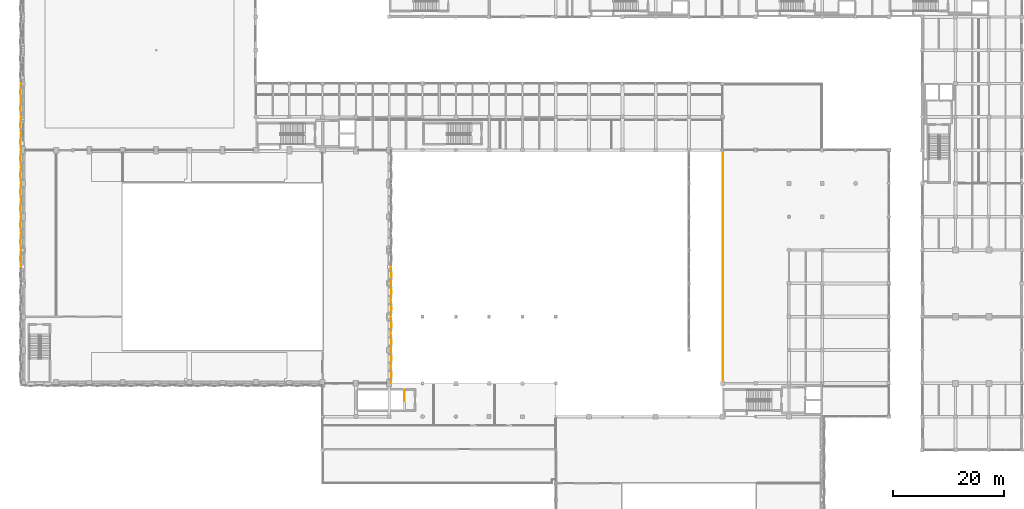
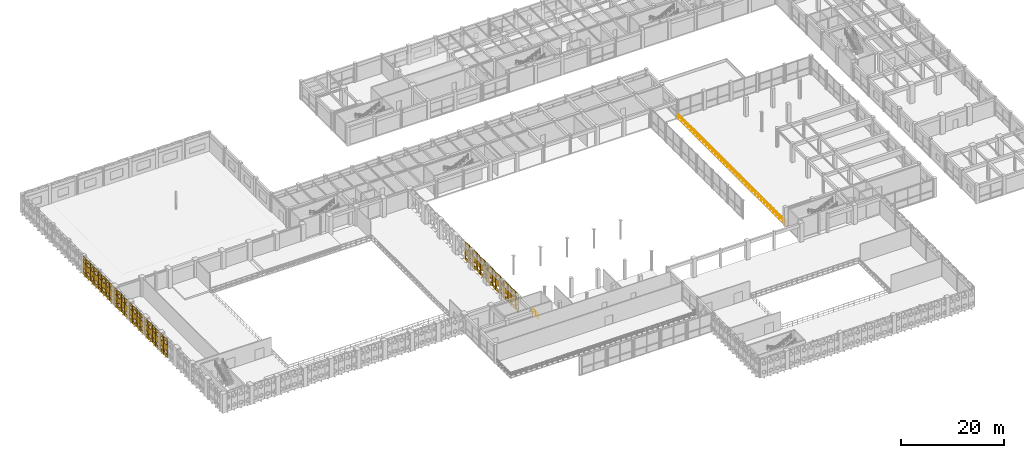
# One storey, part 110 of 116: 36 coverings, 2 railings.
"""IFC4 building model written with IfcOpenShell, lengths in metres."""

from ifc_helpers import new_model, si_unit, direction, frame, origin, origin_2d, place, context, subcontext, project, spatial, polyline, circle, outline, extrude, material, layer, layer_set, type_object, element, save


model = new_model("IFC4")

# Units and contexts
model_context = context("Model", 3, precision=1e-05, world=origin(), true_north=direction((0.0, 1.0)))
body_context = subcontext(model_context, "Body", "Model", "MODEL_VIEW")
ifc_project = project(units=[si_unit("LENGTHUNIT", "METRE"), si_unit("AREAUNIT", "SQUARE_METRE"), si_unit("VOLUMEUNIT", "CUBIC_METRE"), si_unit("PLANEANGLEUNIT", "RADIAN"), si_unit("MASSUNIT", "GRAM", prefix="KILO"), si_unit("THERMODYNAMICTEMPERATUREUNIT", "KELVIN"), si_unit("POWERUNIT", "WATT")], contexts=[model_context])

# Site, building, storey
site_placement = place(None, origin())
site = spatial("IfcSite", under=ifc_project, at=site_placement, CompositionType="ELEMENT")
building_placement = place(site_placement, origin())
building = spatial("IfcBuilding", under=site, at=building_placement, Name="Phaisarnlok Congress Hotel", CompositionType="ELEMENT")
storey_placement = place(building_placement, frame((0.0, 0.0, 10.5)))
storey = spatial("IfcBuildingStorey", under=building, at=storey_placement, Name="L02", CompositionType="ELEMENT", Elevation=10.5)

# Coverings
ifc_material_1 = material(Name="PVDF White Perforated Aluminium Alloy 5052", Category="aluminium")
ifc_layer = layer(ifc_material_1, 0.0400390625, Name="PVDF White Perforated Aluminium Alloy 5052")
ifc_layer_set = layer_set([ifc_layer], Name="PVDF White Perforated Aluminium Alloy 5052")
covering_type = type_object("IfcCoveringType", Name="COV-STAR-FOLD", PredefinedType="CLADDING", material=ifc_layer_set)
for number, where, z_axis, x_axis, name in (
    (1, (-0.300048828125, 63.0, 0.06005859375), (0.994517863207, 0.104566819602, 0.0), (-0.104566819602, 0.994517863207, 0.0), "Folded star-perforated hall screen SS-02 (V1W L02)"),
    (2, (-0.457763671875, 64.5, 0.06005859375), (0.994517863207, -0.104566819602, 0.0), (0.104566819602, 0.994517863207, 0.0), "Folded star-perforated hall screen SS-02 (V1W L02)"),
    (3, (-0.300048828125, 66.0, 0.06005859375), (0.994517863207, 0.104566819602, 0.0), (-0.104566819602, 0.994517863207, 0.0), "Folded star-perforated hall screen SS-02 (V1W L02)"),
    (4, (-0.457763671875, 67.5, 0.06005859375), (0.994517863207, -0.104566819602, 0.0), (0.104566819602, 0.994517863207, 0.0), "Folded star-perforated hall screen SS-02 (V1W L02)"),
    (5, (-0.300048828125, 69.0, 0.06005859375), (0.994517863207, 0.104566819602, 0.0), (-0.104566819602, 0.994517863207, 0.0), "Folded star-perforated hall screen SS-02 (V1W L02)"),
    (6, (-0.457763671875, 70.5, 0.06005859375), (0.994517863207, -0.104566819602, 0.0), (0.104566819602, 0.994517863207, 0.0), "Folded star-perforated hall screen SS-02 (V1W L02)"),
    (7, (-0.300048828125, 72.0, 0.06005859375), (0.994517863207, 0.104566819602, 0.0), (-0.104566819602, 0.994517863207, 0.0), "Folded star-perforated hall screen SS-02 (V1W L02)"),
    (8, (-0.457763671875, 73.5, 0.06005859375), (0.994517863207, -0.104566819602, 0.0), (0.104566819602, 0.994517863207, 0.0), "Folded star-perforated hall screen SS-02 (V1W L02)"),
    (9, (-0.300048828125, 75.0, 0.06005859375), (0.994517863207, 0.104566819602, 0.0), (-0.104566819602, 0.994517863207, 0.0), "Folded star-perforated hall screen SS-02 (V1W L02)"),
    (10, (-0.457763671875, 76.5, 0.06005859375), (0.994517863207, -0.104566819602, 0.0), (0.104566819602, 0.994517863207, 0.0), "Folded star-perforated hall screen SS-02 (V1W L02)"),
    (11, (-0.300048828125, 78.0, 0.06005859375), (0.994517863207, 0.104566819602, 0.0), (-0.104566819602, 0.994517863207, 0.0), "Folded star-perforated hall screen SS-02 (V1W L02)"),
    (12, (-0.457763671875, 79.5, 0.06005859375), (0.994517863207, -0.104566819602, 0.0), (0.104566819602, 0.994517863207, 0.0), "Folded star-perforated hall screen SS-02 (V1W L02)"),
    (13, (-0.300048828125, 81.0, 0.06005859375), (0.994517863207, 0.104566819602, 0.0), (-0.104566819602, 0.994517863207, 0.0), "Folded star-perforated hall screen SS-02 (V1W L02)"),
    (14, (-0.457763671875, 82.5, 0.06005859375), (0.994517863207, -0.104566819602, 0.0), (0.104566819602, 0.994517863207, 0.0), "Folded star-perforated hall screen SS-02 (V1W L02)"),
    (15, (66.457763671875, 43.5, 0.06005859375), (-0.994517863207, 0.104566819602, 0.0), (-0.104566819602, -0.994517863207, 0.0), "Folded star-perforated hall screen SS-02 (V1E L02)"),
    (16, (66.300048828125, 45.0, 0.06005859375), (-0.994517863207, -0.104566819602, 0.0), (0.104566819602, -0.994517863207, 0.0), "Folded star-perforated hall screen SS-02 (V1E L02)"),
    (17, (66.457763671875, 46.5, 0.06005859375), (-0.994517863207, 0.104566819602, 0.0), (-0.104566819602, -0.994517863207, 0.0), "Folded star-perforated hall screen SS-02 (V1E L02)"),
    (18, (66.300048828125, 48.0, 0.06005859375), (-0.994517863207, -0.104566819602, 0.0), (0.104566819602, -0.994517863207, 0.0), "Folded star-perforated hall screen SS-02 (V1E L02)"),
    (19, (66.457763671875, 49.5, 0.06005859375), (-0.994517863207, 0.104566819602, 0.0), (-0.104566819602, -0.994517863207, 0.0), "Folded star-perforated hall screen SS-02 (V1E L02)"),
    (20, (66.300048828125, 51.0, 0.06005859375), (-0.994517863207, -0.104566819602, 0.0), (0.104566819602, -0.994517863207, 0.0), "Folded star-perforated hall screen SS-02 (V1E L02)"),
    (21, (66.457763671875, 52.5, 0.06005859375), (-0.994517863207, 0.104566819602, 0.0), (-0.104566819602, -0.994517863207, 0.0), "Folded star-perforated hall screen SS-02 (V1E L02)"),
    (22, (66.300048828125, 54.0, 0.06005859375), (-0.994517863207, -0.104566819602, 0.0), (0.104566819602, -0.994517863207, 0.0), "Folded star-perforated hall screen SS-02 (V1E L02)"),
    (23, (66.457763671875, 55.5, 0.06005859375), (-0.994517863207, 0.104566819602, 0.0), (-0.104566819602, -0.994517863207, 0.0), "Folded star-perforated hall screen SS-02 (V1E L02)"),
    (24, (66.300048828125, 57.0, 0.06005859375), (-0.994517863207, -0.104566819602, 0.0), (0.104566819602, -0.994517863207, 0.0), "Folded star-perforated hall screen SS-02 (V1E L02)"),
    (25, (66.457763671875, 58.5, 0.06005859375), (-0.994517863207, 0.104566819602, 0.0), (-0.104566819602, -0.994517863207, 0.0), "Folded star-perforated hall screen SS-02 (V1E L02)"),
    (26, (66.300048828125, 60.0, 0.06005859375), (-0.994517863207, -0.104566819602, 0.0), (0.104566819602, -0.994517863207, 0.0), "Folded star-perforated hall screen SS-02 (V1E L02)"),
    (27, (66.457763671875, 61.5, 0.06005859375), (-0.994517863207, 0.104566819602, 0.0), (-0.104566819602, -0.994517863207, 0.0), "Folded star-perforated hall screen SS-02 (V1E L02)"),
    (28, (66.300048828125, 63.0, 0.06005859375), (-0.994517863207, -0.104566819602, 0.0), (0.104566819602, -0.994517863207, 0.0), "Folded star-perforated hall screen SS-02 (V1E L02)"),
    (29, (-0.300048828125, 84.0, 0.06005859375), (0.994517863207, 0.104566819602, 0.0), (-0.104566819602, 0.994517863207, 0.0), "Folded star-perforated hall screen SS-02 (V3W L02)"),
    (30, (-0.457763671875, 85.5, 0.06005859375), (0.994517863207, -0.104566819602, 0.0), (0.104566819602, 0.994517863207, 0.0), "Folded star-perforated hall screen SS-02 (V3W L02)"),
    (31, (-0.300048828125, 87.0, 0.06005859375), (0.994517863207, 0.104566819602, 0.0), (-0.104566819602, 0.994517863207, 0.0), "Folded star-perforated hall screen SS-02 (V3W L02)"),
    (32, (-0.457763671875, 88.5, 0.06005859375), (0.994517863207, -0.104566819602, 0.0), (0.104566819602, 0.994517863207, 0.0), "Folded star-perforated hall screen SS-02 (V3W L02)"),
    (33, (-0.300048828125, 90.0, 0.06005859375), (0.994517863207, 0.104566819602, 0.0), (-0.104566819602, 0.994517863207, 0.0), "Folded star-perforated hall screen SS-02 (V3W L02)"),
    (34, (-0.457763671875, 91.5, 0.06005859375), (0.994517863207, -0.104566819602, 0.0), (0.104566819602, 0.994517863207, 0.0), "Folded star-perforated hall screen SS-02 (V3W L02)"),
    (35, (-0.300048828125, 93.0, 0.06005859375), (0.994517863207, 0.104566819602, 0.0), (-0.104566819602, 0.994517863207, 0.0), "Folded star-perforated hall screen SS-02 (V3W L02)"),
    (36, (-0.457763671875, 94.5, 0.06005859375), (0.994517863207, -0.104566819602, 0.0), (0.104566819602, 0.994517863207, 0.0), "Folded star-perforated hall screen SS-02 (V3W L02)"),
):
    element("IfcCovering", number, at=place(storey_placement, frame(where, z_axis=z_axis, x_axis=x_axis)), inside=storey, type_object=covering_type, Name=name, PredefinedType="CLADDING", context=body_context, shape_type="SweptSolid", body=[
        extrude(outline(polyline([(0.0, 0.0), (1.5082685344258453, 0.0), (1.5082685344258453, 4.35986328125), (0.0, 4.35986328125), (0.0, 0.0)]), holes=[polyline([(1.0351, 0.9736), (1.2021, 0.6421), (0.8705, 0.8091), (0.7541, 0.4565), (0.6378, 0.8091), (0.3062, 0.6421), (0.4732, 0.9736), (0.1207, 1.09), (0.4732, 1.2064), (0.3062, 1.5379), (0.6378, 1.3709), (0.7541, 1.7235), (0.8705, 1.3709), (1.2021, 1.5379), (1.0351, 1.2064), (1.3876, 1.09), (1.0351, 0.9736)]), polyline([(1.0351, 3.1536), (1.2021, 2.8221), (0.8705, 2.9891), (0.7541, 2.6365), (0.6378, 2.9891), (0.3062, 2.8221), (0.4732, 3.1536), (0.1207, 3.27), (0.4732, 3.3864), (0.3062, 3.7179), (0.6378, 3.5509), (0.7541, 3.9035), (0.8705, 3.5509), (1.2021, 3.7179), (1.0351, 3.3864), (1.3876, 3.27), (1.0351, 3.1536)])]), origin(), (0.0, 0.0, 1.0), 0.0400390625),
    ])

# Railings
ifc_material_2 = material(Name="Laminated Glass & Stainless Steel Grade 316", Category="steel")
railing_type_1 = type_object("IfcRailingType", Name="RLG-INT-1100", PredefinedType="BALUSTRADE", material=ifc_material_2)
railing_1_placement = place(storey_placement, frame((126.1201171875, 42.080078125, 0.0)))
element("IfcRailing", 37, at=railing_1_placement, inside=storey, type_object=railing_type_1, Name="Cloister gallery guard balustrade GD-02 (L02)", PredefinedType="BALUSTRADE", context=body_context, shape_type="SweptSolid", body=[
    extrude(circle(Radius=0.02392578125, at=origin_2d()), frame((0.0, 0.0, 1.076171875), z_axis=(0.0, 1.0, 0.0), x_axis=(-1.0, 0.0, 0.0)), (0.0, 0.0, 1.0), 41.5400390625),
    extrude(circle(Radius=0.02392578125, at=origin_2d()), frame((0.0, 0.0, 0.52587890625), z_axis=(0.0, 1.0, 0.0), x_axis=(-1.0, 0.0, 0.0)), (0.0, 0.0, 1.0), 41.5400390625),
    extrude(circle(Radius=0.02099609375, at=origin_2d()), origin(), (0.0, 0.0, 1.0), 1.052001953125),
    extrude(circle(Radius=0.02099609375, at=origin_2d()), frame((0.0, 1.186767578125, 0.0)), (0.0, 0.0, 1.0), 1.052001953125),
    extrude(circle(Radius=0.02099609375, at=origin_2d()), frame((0.0, 2.373779296875, 0.0)), (0.0, 0.0, 1.0), 1.052001953125),
    extrude(circle(Radius=0.02099609375, at=origin_2d()), frame((0.0, 3.560546875, 0.0)), (0.0, 0.0, 1.0), 1.052001953125),
    extrude(circle(Radius=0.02099609375, at=origin_2d()), frame((0.0, 4.747314453125, 0.0)), (0.0, 0.0, 1.0), 1.052001953125),
    extrude(circle(Radius=0.02099609375, at=origin_2d()), frame((0.0, 5.934326171875, 0.0)), (0.0, 0.0, 1.0), 1.052001953125),
    extrude(circle(Radius=0.02099609375, at=origin_2d()), frame((0.0, 7.12109375, 0.0)), (0.0, 0.0, 1.0), 1.052001953125),
    extrude(circle(Radius=0.02099609375, at=origin_2d()), frame((0.0, 8.30810546875, 0.0)), (0.0, 0.0, 1.0), 1.052001953125),
    extrude(circle(Radius=0.02099609375, at=origin_2d()), frame((0.0, 9.494873046875, 0.0)), (0.0, 0.0, 1.0), 1.052001953125),
    extrude(circle(Radius=0.02099609375, at=origin_2d()), frame((0.0, 10.681640625, 0.0)), (0.0, 0.0, 1.0), 1.052001953125),
    extrude(circle(Radius=0.02099609375, at=origin_2d()), frame((0.0, 11.86865234375, 0.0)), (0.0, 0.0, 1.0), 1.052001953125),
    extrude(circle(Radius=0.02099609375, at=origin_2d()), frame((0.0, 13.055419921875, 0.0)), (0.0, 0.0, 1.0), 1.052001953125),
    extrude(circle(Radius=0.02099609375, at=origin_2d()), frame((0.0, 14.2421875, 0.0)), (0.0, 0.0, 1.0), 1.052001953125),
    extrude(circle(Radius=0.02099609375, at=origin_2d()), frame((0.0, 15.42919921875, 0.0)), (0.0, 0.0, 1.0), 1.052001953125),
    extrude(circle(Radius=0.02099609375, at=origin_2d()), frame((0.0, 16.615966796875, 0.0)), (0.0, 0.0, 1.0), 1.052001953125),
    extrude(circle(Radius=0.02099609375, at=origin_2d()), frame((0.0, 17.802978515625, 0.0)), (0.0, 0.0, 1.0), 1.052001953125),
    extrude(circle(Radius=0.02099609375, at=origin_2d()), frame((0.0, 18.98974609375, 0.0)), (0.0, 0.0, 1.0), 1.052001953125),
    extrude(circle(Radius=0.02099609375, at=origin_2d()), frame((0.0, 20.176513671875, 0.0)), (0.0, 0.0, 1.0), 1.052001953125),
    extrude(circle(Radius=0.02099609375, at=origin_2d()), frame((0.0, 21.363525390625, 0.0)), (0.0, 0.0, 1.0), 1.052001953125),
    extrude(circle(Radius=0.02099609375, at=origin_2d()), frame((0.0, 22.55029296875, 0.0)), (0.0, 0.0, 1.0), 1.052001953125),
    extrude(circle(Radius=0.02099609375, at=origin_2d()), frame((0.0, 23.737060546875, 0.0)), (0.0, 0.0, 1.0), 1.052001953125),
    extrude(circle(Radius=0.02099609375, at=origin_2d()), frame((0.0, 24.924072265625, 0.0)), (0.0, 0.0, 1.0), 1.052001953125),
    extrude(circle(Radius=0.02099609375, at=origin_2d()), frame((0.0, 26.11083984375, 0.0)), (0.0, 0.0, 1.0), 1.052001953125),
    extrude(circle(Radius=0.02099609375, at=origin_2d()), frame((0.0, 27.2978515625, 0.0)), (0.0, 0.0, 1.0), 1.052001953125),
    extrude(circle(Radius=0.02099609375, at=origin_2d()), frame((0.0, 28.484619140625, 0.0)), (0.0, 0.0, 1.0), 1.052001953125),
    extrude(circle(Radius=0.02099609375, at=origin_2d()), frame((0.0, 29.67138671875, 0.0)), (0.0, 0.0, 1.0), 1.052001953125),
    extrude(circle(Radius=0.02099609375, at=origin_2d()), frame((0.0, 30.8583984375, 0.0)), (0.0, 0.0, 1.0), 1.052001953125),
    extrude(circle(Radius=0.02099609375, at=origin_2d()), frame((0.0, 32.045166015625, 0.0)), (0.0, 0.0, 1.0), 1.052001953125),
    extrude(circle(Radius=0.02099609375, at=origin_2d()), frame((0.0, 33.23193359375, 0.0)), (0.0, 0.0, 1.0), 1.052001953125),
    extrude(circle(Radius=0.02099609375, at=origin_2d()), frame((0.0, 34.4189453125, 0.0)), (0.0, 0.0, 1.0), 1.052001953125),
    extrude(circle(Radius=0.02099609375, at=origin_2d()), frame((0.0, 35.605712890625, 0.0)), (0.0, 0.0, 1.0), 1.052001953125),
    extrude(circle(Radius=0.02099609375, at=origin_2d()), frame((0.0, 36.792724609375, 0.0)), (0.0, 0.0, 1.0), 1.052001953125),
    extrude(circle(Radius=0.02099609375, at=origin_2d()), frame((0.0, 37.9794921875, 0.0)), (0.0, 0.0, 1.0), 1.052001953125),
    extrude(circle(Radius=0.02099609375, at=origin_2d()), frame((0.0, 39.166259765625, 0.0)), (0.0, 0.0, 1.0), 1.052001953125),
    extrude(circle(Radius=0.02099609375, at=origin_2d()), frame((0.0, 40.353271484375, 0.0)), (0.0, 0.0, 1.0), 1.052001953125),
    extrude(circle(Radius=0.02099609375, at=origin_2d()), frame((0.0, 41.5400390625, 0.0)), (0.0, 0.0, 1.0), 1.052001953125),
])
ifc_material_3 = material(Name="Painted Galvanised Steel S275", Category="steel")
railing_type_2 = type_object("IfcRailingType", Name="RLG-STR-GUARD", PredefinedType="BALUSTRADE", material=ifc_material_3)
railing_2_placement = place(storey_placement, frame((68.77001953125, 40.800048828125, 0.0)))
element("IfcRailing", 38, at=railing_2_placement, inside=storey, type_object=railing_type_2, Name="L02 ST-12 top well guard 1", PredefinedType="BALUSTRADE", context=body_context, shape_type="SweptSolid", body=[
    extrude(circle(Radius=0.02392578125, at=origin_2d()), frame((0.0, 0.0, 1.076171875), z_axis=(0.0, -1.0, 0.0), x_axis=(1.0, 0.0, 0.0)), (0.0, 0.0, 1.0), 2.02001953125),
    extrude(circle(Radius=0.02392578125, at=origin_2d()), frame((0.0, 0.0, 0.52587890625), z_axis=(0.0, -1.0, 0.0), x_axis=(1.0, 0.0, 0.0)), (0.0, 0.0, 1.0), 2.02001953125),
    extrude(circle(Radius=0.02099609375, at=origin_2d()), origin(), (0.0, 0.0, 1.0), 1.052001953125),
    extrude(circle(Radius=0.02099609375, at=origin_2d()), frame((0.0, -1.010009765625, 0.0)), (0.0, 0.0, 1.0), 1.052001953125),
    extrude(circle(Radius=0.02099609375, at=origin_2d()), frame((0.0, -2.02001953125, 0.0)), (0.0, 0.0, 1.0), 1.052001953125),
])

save(model, "model.ifc")
